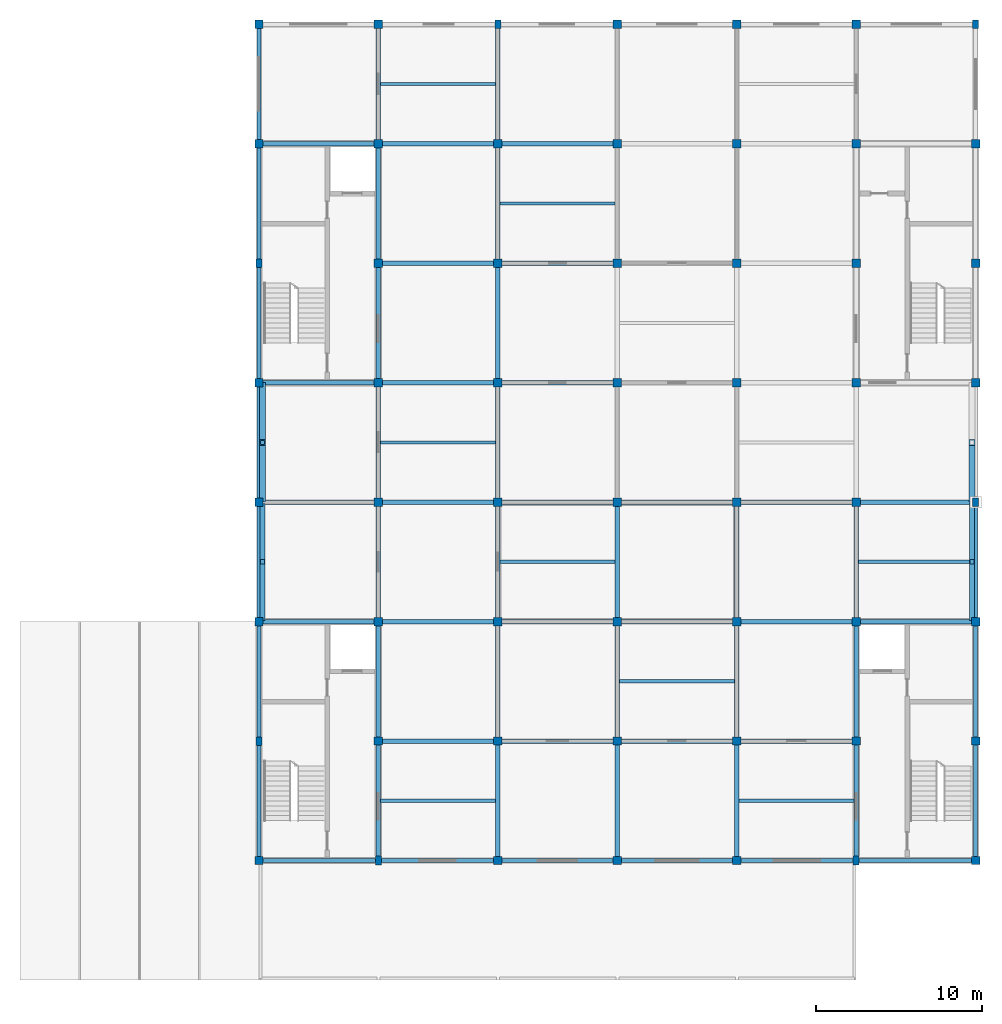
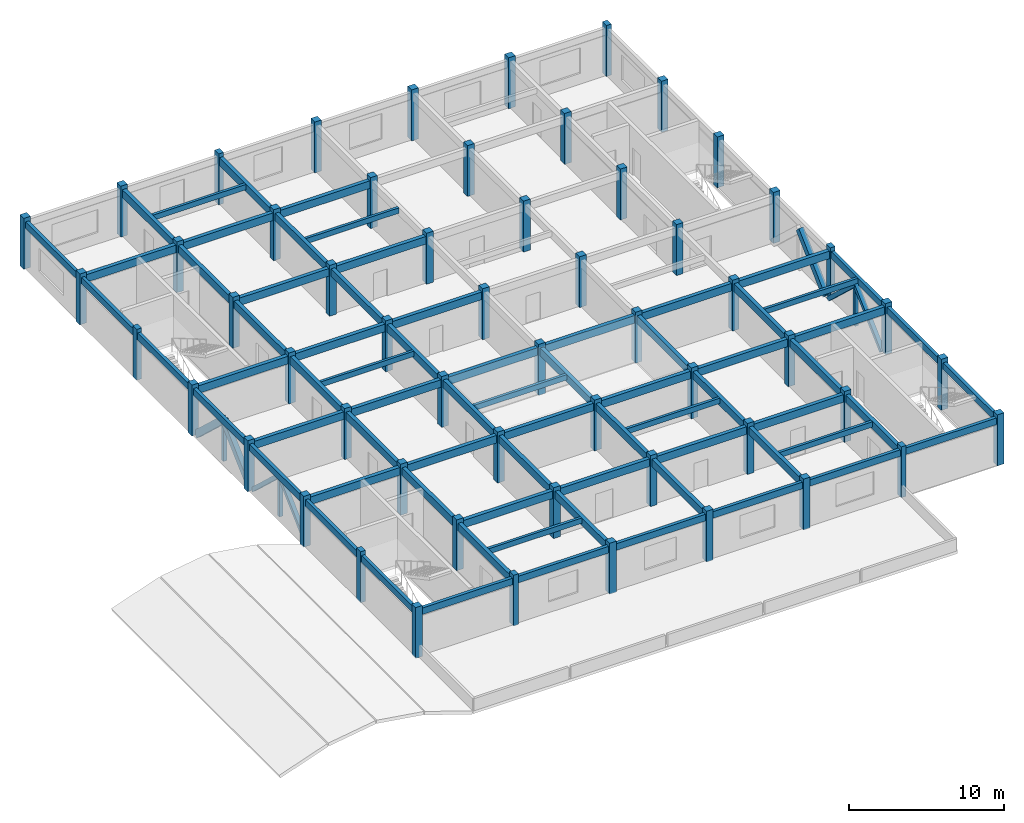
# One storey, part 1 of 6: 71 beams, 56 columns, 10 members.
"""IFC4 building model written with IfcOpenShell, lengths in metres."""

from ifc_helpers import new_model, si_unit, direction, frame, origin, origin_2d, place, context, subcontext, project, spatial, rectangle, extrude, material, material_profile, profile_set, type_object, element, save


model = new_model("IFC4")

# Units and contexts
model_context = context("Model", 3, precision=1e-05, world=origin(), true_north=direction((0.0, 1.0)))
body_context = subcontext(model_context, "Body", "Model", "MODEL_VIEW")
ifc_project = project(units=[si_unit("LENGTHUNIT", "METRE"), si_unit("AREAUNIT", "SQUARE_METRE"), si_unit("VOLUMEUNIT", "CUBIC_METRE"), si_unit("PLANEANGLEUNIT", "RADIAN"), si_unit("MASSUNIT", "GRAM", prefix="KILO")], contexts=[model_context])

# Site, building, storey
site_placement = place(None, origin())
site = spatial("IfcSite", under=ifc_project, at=site_placement, CompositionType="ELEMENT")
building_placement = place(site_placement, origin())
building = spatial("IfcBuilding", under=site, at=building_placement, Name="Cendaluz Park School", CompositionType="ELEMENT")
storey_placement = place(building_placement, frame((0.0, 0.0, 55.0)))
storey = spatial("IfcBuildingStorey", under=building, at=storey_placement, Name="L13", CompositionType="ELEMENT", Elevation=55.0)

# Columns
ifc_material_1 = material(Name="Glulam GL32h", Category="wood")
ifc_material_profile_1 = material_profile(ifc_material_1, rectangle(XDim=0.5, YDim=0.5, at=origin_2d()), Name="GL32h 500x500", Category="wood")
ifc_profile_set_1 = profile_set([ifc_material_profile_1], Name="Glulam GL32h")
column_type_1 = type_object("IfcColumnType", Name="C-GL02", PredefinedType="COLUMN", material=ifc_profile_set_1)
for number, where, z_axis, x_axis, name in (
    (1, (64.800048828125, 14.39990234375, 0.0), (0.0, 0.0, 1.0), (1.0, 0.0, 0.0), "C-L13-CGL02-001"),
    (2, (64.800048828125, 28.800048828125, 0.0), (0.0, 0.0, 1.0), (1.0, 0.0, 0.0), "C-L13-CGL02-003"),
    (3, (64.800048828125, 36.0, 0.0), (0.0, 0.0, 1.0), (1.0, 0.0, 0.0), "C-L13-CGL02-004"),
    (4, (64.800048828125, 43.199951171875, 0.0), (0.0, 0.0, 1.0), (1.0, 0.0, 0.0), "C-L13-CGL02-005"),
    (5, (64.800048828125, 57.60009765625, 0.0), (0.0, 0.0, 1.0), (1.0, 0.0, 0.0), "C-L13-CGL02-007"),
    (6, (64.800048828125, 64.800048828125, 0.0), (0.0, 0.0, 1.0), (1.0, 0.0, 0.0), "C-L13-CGL02-008"),
    (7, (72.0, 21.60009765625, 0.0), (0.0, 0.0, 1.0), (1.0, 0.0, 0.0), "C-L13-CGL02-010"),
    (8, (72.0, 28.800048828125, 0.0), (0.0, 0.0, 1.0), (1.0, 0.0, 0.0), "C-L13-CGL02-011"),
    (9, (72.0, 36.0, 0.0), (0.0, 0.0, 1.0), (1.0, 0.0, 0.0), "C-L13-CGL02-012"),
    (10, (72.0, 43.199951171875, 0.0), (0.0, 0.0, 1.0), (1.0, 0.0, 0.0), "C-L13-CGL02-013"),
    (11, (72.0, 50.39990234375, 0.0), (0.0, 0.0, 1.0), (1.0, 0.0, 0.0), "C-L13-CGL02-014"),
    (12, (72.0, 57.60009765625, 0.0), (0.0, 0.0, 1.0), (1.0, 0.0, 0.0), "C-L13-CGL02-015"),
    (13, (72.0, 64.800048828125, 0.0), (0.0, 0.0, 1.0), (1.0, 0.0, 0.0), "C-L13-CGL02-016"),
    (14, (79.199951171875, 14.39990234375, 0.0), (0.0, 0.0, 1.0), (1.0, 0.0, 0.0), "C-L13-CGL02-017"),
    (15, (79.199951171875, 21.60009765625, 0.0), (0.0, 0.0, 1.0), (1.0, 0.0, 0.0), "C-L13-CGL02-018"),
    (16, (79.199951171875, 28.800048828125, 0.0), (0.0, 0.0, 1.0), (1.0, 0.0, 0.0), "C-L13-CGL02-019"),
    (17, (79.199951171875, 36.0, 0.0), (0.0, 0.0, 1.0), (1.0, 0.0, 0.0), "C-L13-CGL02-020"),
    (18, (79.199951171875, 43.199951171875, 0.0), (0.0, 0.0, 1.0), (1.0, 0.0, 0.0), "C-L13-CGL02-021"),
    (19, (79.199951171875, 50.39990234375, 0.0), (0.0, 0.0, 1.0), (1.0, 0.0, 0.0), "C-L13-CGL02-022"),
    (20, (79.199951171875, 57.60009765625, 0.0), (0.0, 0.0, 1.0), (1.0, 0.0, 0.0), "C-L13-CGL02-023"),
    (21, (86.39990234375, 14.39990234375, 0.0), (0.0, 0.0, 1.0), (1.0, 0.0, 0.0), "C-L13-CGL02-025"),
    (22, (86.39990234375, 21.60009765625, 0.0), (0.0, 0.0, 1.0), (1.0, 0.0, 0.0), "C-L13-CGL02-026"),
    (23, (86.39990234375, 28.800048828125, 0.0), (0.0, 0.0, 1.0), (1.0, 0.0, 0.0), "C-L13-CGL02-027"),
    (24, (86.39990234375, 36.0, 0.0), (0.0, 0.0, 1.0), (1.0, 0.0, 0.0), "C-L13-CGL02-028"),
    (25, (86.39990234375, 43.199951171875, 0.0), (0.0, 0.0, 1.0), (1.0, 0.0, 0.0), "C-L13-CGL02-029"),
    (26, (86.39990234375, 50.39990234375, 0.0), (0.0, 0.0, 1.0), (1.0, 0.0, 0.0), "C-L13-CGL02-030"),
    (27, (86.39990234375, 57.60009765625, 0.0), (0.0, 0.0, 1.0), (1.0, 0.0, 0.0), "C-L13-CGL02-031"),
    (28, (86.39990234375, 64.800048828125, 0.0), (0.0, 0.0, 1.0), (1.0, 0.0, 0.0), "C-L13-CGL02-032"),
    (29, (93.60009765625, 14.39990234375, 0.0), (0.0, 0.0, 1.0), (1.0, 0.0, 0.0), "C-L13-CGL02-033"),
    (30, (93.60009765625, 21.60009765625, 0.0), (0.0, 0.0, 1.0), (1.0, 0.0, 0.0), "C-L13-CGL02-034"),
    (31, (93.60009765625, 28.800048828125, 0.0), (0.0, 0.0, 1.0), (1.0, 0.0, 0.0), "C-L13-CGL02-035"),
    (32, (93.60009765625, 36.0, 0.0), (0.0, 0.0, 1.0), (1.0, 0.0, 0.0), "C-L13-CGL02-036"),
    (33, (93.60009765625, 43.199951171875, 0.0), (0.0, 0.0, 1.0), (1.0, 0.0, 0.0), "C-L13-CGL02-037"),
    (34, (93.60009765625, 50.39990234375, 0.0), (0.0, 0.0, 1.0), (1.0, 0.0, 0.0), "C-L13-CGL02-038"),
    (35, (93.60009765625, 57.60009765625, 0.0), (0.0, 0.0, 1.0), (1.0, 0.0, 0.0), "C-L13-CGL02-039"),
    (36, (93.60009765625, 64.800048828125, 0.0), (0.0, 0.0, 1.0), (1.0, 0.0, 0.0), "C-L13-CGL02-040"),
    (37, (100.800048828125, 21.60009765625, 0.0), (0.0, 0.0, 1.0), (1.0, 0.0, 0.0), "C-L13-CGL02-042"),
    (38, (100.800048828125, 28.800048828125, 0.0), (0.0, 0.0, 1.0), (1.0, 0.0, 0.0), "C-L13-CGL02-043"),
    (39, (100.800048828125, 36.0, 0.0), (0.0, 0.0, 1.0), (1.0, 0.0, 0.0), "C-L13-CGL02-044"),
    (40, (100.800048828125, 43.199951171875, 0.0), (0.0, 0.0, 1.0), (1.0, 0.0, 0.0), "C-L13-CGL02-045"),
    (41, (100.800048828125, 50.39990234375, 0.0), (0.0, 0.0, 1.0), (1.0, 0.0, 0.0), "C-L13-CGL02-046"),
    (42, (100.800048828125, 57.60009765625, 0.0), (0.0, 0.0, 1.0), (1.0, 0.0, 0.0), "C-L13-CGL02-047"),
    (43, (100.800048828125, 64.800048828125, 0.0), (0.0, 0.0, 1.0), (1.0, 0.0, 0.0), "C-L13-CGL02-048"),
    (44, (108.0, 14.39990234375, 0.0), (0.0, 0.0, 1.0), (1.0, 0.0, 0.0), "C-L13-CGL02-049"),
    (45, (108.0, 21.60009765625, 0.0), (0.0, 0.0, 1.0), (1.0, 0.0, 0.0), "C-L13-CGL02-050"),
    (46, (108.0, 28.800048828125, 0.0), (0.0, 0.0, 1.0), (1.0, 0.0, 0.0), "C-L13-CGL02-051"),
    (47, (108.0, 43.199951171875, 0.0), (0.0, 0.0, 1.0), (1.0, 0.0, 0.0), "C-L13-CGL02-053"),
    (48, (108.0, 50.39990234375, 0.0), (0.0, 0.0, 1.0), (1.0, 0.0, 0.0), "C-L13-CGL02-054"),
    (49, (108.0, 57.60009765625, 0.0), (0.0, 0.0, 1.0), (1.0, 0.0, 0.0), "C-L13-CGL02-055"),
):
    element("IfcColumn", number, at=place(storey_placement, frame(where, z_axis=z_axis, x_axis=x_axis)), inside=storey, type_object=column_type_1, Name=name, PredefinedType="COLUMN", context=body_context, shape_type="SweptSolid", body=[
        extrude(rectangle(XDim=0.5, YDim=0.5, at=origin_2d()), origin(), (0.0, 0.0, 1.0), 4.0),
    ])
ifc_material_profile_2 = material_profile(ifc_material_1, rectangle(XDim=0.360107421875, YDim=0.52001953125, at=origin_2d()), Name="GL32h 360x520", Category="wood")
ifc_profile_set_2 = profile_set([ifc_material_profile_2], Name="Glulam GL32h")
column_type_2 = type_object("IfcColumnType", Name="C-PL02", PredefinedType="PILASTER", material=ifc_profile_set_2)
for number, where, z_axis, x_axis, name in (
    (50, (64.800048828125, 21.60009765625, 0.0), (0.0, 0.0, 1.0), (1.0, 0.0, 0.0), "C-L13-CPL02-002"),
    (51, (64.800048828125, 50.39990234375, 0.0), (0.0, 0.0, 1.0), (1.0, 0.0, 0.0), "C-L13-CPL02-006"),
    (52, (72.0, 14.39990234375, 0.0), (0.0, 0.0, 1.0), (1.0, 0.0, 0.0), "C-L13-CPL02-009"),
    (53, (79.199951171875, 64.800048828125, 0.0), (0.0, 0.0, 1.0), (1.0, 0.0, 0.0), "C-L13-CPL02-024"),
    (54, (100.800048828125, 14.39990234375, 0.0), (0.0, 0.0, 1.0), (1.0, 0.0, 0.0), "C-L13-CPL02-041"),
    (55, (108.0, 36.0, 0.0), (0.0, 0.0, 1.0), (1.0, 0.0, 0.0), "C-L13-CPL02-052"),
    (56, (108.0, 64.800048828125, 0.0), (0.0, 0.0, 1.0), (1.0, 0.0, 0.0), "C-L13-CPL02-056"),
):
    element("IfcColumn", number, at=place(storey_placement, frame(where, z_axis=z_axis, x_axis=x_axis)), inside=storey, type_object=column_type_2, Name=name, PredefinedType="PILASTER", context=body_context, shape_type="SweptSolid", body=[
        extrude(rectangle(XDim=0.360107421875, YDim=0.52001953125, at=origin_2d()), origin(), (0.0, 0.0, 1.0), 4.0),
    ])

# Beams
ifc_material_2 = material(Name="Glulam GL28h", Category="wood")
ifc_material_profile_3 = material_profile(ifc_material_2, rectangle(XDim=0.280029296875, YDim=0.60009765625, at=origin_2d()), Name="GL28h 280x600", Category="wood")
ifc_profile_set_3 = profile_set([ifc_material_profile_3], Name="Glulam GL28h")
beam_type_1 = type_object("IfcBeamType", Name="BM-GL02", PredefinedType="BEAM", material=ifc_profile_set_3)
for number, where, z_axis, x_axis, name in (
    (57, (65.050048828125, 28.800048828125, 3.389892578125), (1.0, 0.0, 0.0), (0.0, 1.0, 0.0), "BM-L13-BMGL02-0002"),
    (58, (65.050048828125, 36.0, 3.389892578125), (1.0, 0.0, 0.0), (0.0, 1.0, 0.0), "BM-L13-BMGL02-0003"),
    (59, (65.050048828125, 43.199951171875, 3.389892578125), (1.0, 0.0, 0.0), (0.0, 1.0, 0.0), "BM-L13-BMGL02-0004"),
    (60, (65.050048828125, 57.60009765625, 3.389892578125), (1.0, 0.0, 0.0), (0.0, 1.0, 0.0), "BM-L13-BMGL02-0005"),
    (61, (72.25, 21.60009765625, 3.389892578125), (1.0, 0.0, 0.0), (0.0, 1.0, 0.0), "BM-L13-BMGL02-0008"),
    (62, (72.25, 28.800048828125, 3.389892578125), (1.0, 0.0, 0.0), (0.0, 1.0, 0.0), "BM-L13-BMGL02-0009"),
    (63, (72.25, 36.0, 3.389892578125), (1.0, 0.0, 0.0), (0.0, 1.0, 0.0), "BM-L13-BMGL02-0010"),
    (64, (72.25, 43.199951171875, 3.389892578125), (1.0, 0.0, 0.0), (0.0, 1.0, 0.0), "BM-L13-BMGL02-0011"),
    (65, (72.25, 50.39990234375, 3.389892578125), (1.0, 0.0, 0.0), (0.0, 1.0, 0.0), "BM-L13-BMGL02-0012"),
    (66, (72.25, 57.60009765625, 3.389892578125), (1.0, 0.0, 0.0), (0.0, 1.0, 0.0), "BM-L13-BMGL02-0013"),
    (67, (79.449951171875, 21.60009765625, 3.389892578125), (1.0, 0.0, 0.0), (0.0, 1.0, 0.0), "BM-L13-BMGL02-0016"),
    (68, (79.449951171875, 28.800048828125, 3.389892578125), (1.0, 0.0, 0.0), (0.0, 1.0, 0.0), "BM-L13-BMGL02-0017"),
    (69, (79.449951171875, 36.0, 3.389892578125), (1.0, 0.0, 0.0), (0.0, 1.0, 0.0), "BM-L13-BMGL02-0018"),
    (70, (79.449951171875, 43.199951171875, 3.389892578125), (1.0, 0.0, 0.0), (0.0, 1.0, 0.0), "BM-L13-BMGL02-0019"),
    (71, (79.449951171875, 50.39990234375, 3.389892578125), (1.0, 0.0, 0.0), (0.0, 1.0, 0.0), "BM-L13-BMGL02-0020"),
    (72, (79.449951171875, 57.60009765625, 3.389892578125), (1.0, 0.0, 0.0), (0.0, 1.0, 0.0), "BM-L13-BMGL02-0021"),
):
    element("IfcBeam", number, at=place(storey_placement, frame(where, z_axis=z_axis, x_axis=x_axis)), inside=storey, type_object=beam_type_1, Name=name, PredefinedType="BEAM", context=body_context, shape_type="SweptSolid", body=[
        extrude(rectangle(XDim=0.280029296875, YDim=0.60009765625, at=origin_2d()), origin(), (0.0, 0.0, 1.0), 6.699951171875),
    ])
for number, where, z_axis, x_axis, name in (
    (73, (86.64990234375, 21.60009765625, 3.389892578125), (1.0, 0.0, 0.0), (0.0, 1.0, 0.0), "BM-L13-BMGL02-0024"),
    (74, (86.64990234375, 28.800048828125, 3.389892578125), (1.0, 0.0, 0.0), (0.0, 1.0, 0.0), "BM-L13-BMGL02-0025"),
    (75, (86.64990234375, 36.0, 3.389892578125), (1.0, 0.0, 0.0), (0.0, 1.0, 0.0), "BM-L13-BMGL02-0026"),
):
    element("IfcBeam", number, at=place(storey_placement, frame(where, z_axis=z_axis, x_axis=x_axis)), inside=storey, type_object=beam_type_1, Name=name, PredefinedType="BEAM", context=body_context, shape_type="SweptSolid", body=[
        extrude(rectangle(XDim=0.280029296875, YDim=0.60009765625, at=origin_2d()), origin(), (0.0, 0.0, 1.0), 6.7001953125),
    ])
for number, where, z_axis, x_axis, name in (
    (76, (93.85009765625, 21.60009765625, 3.389892578125), (1.0, 0.0, 0.0), (0.0, 1.0, 0.0), "BM-L13-BMGL02-0032"),
    (77, (93.85009765625, 28.800048828125, 3.389892578125), (1.0, 0.0, 0.0), (0.0, 1.0, 0.0), "BM-L13-BMGL02-0033"),
    (78, (93.85009765625, 36.0, 3.389892578125), (1.0, 0.0, 0.0), (0.0, 1.0, 0.0), "BM-L13-BMGL02-0034"),
    (79, (101.050048828125, 28.800048828125, 3.389892578125), (1.0, 0.0, 0.0), (0.0, 1.0, 0.0), "BM-L13-BMGL02-0040"),
):
    element("IfcBeam", number, at=place(storey_placement, frame(where, z_axis=z_axis, x_axis=x_axis)), inside=storey, type_object=beam_type_1, Name=name, PredefinedType="BEAM", context=body_context, shape_type="SweptSolid", body=[
        extrude(rectangle(XDim=0.280029296875, YDim=0.60009765625, at=origin_2d()), origin(), (0.0, 0.0, 1.0), 6.699951171875),
    ])
beam_1_placement = place(storey_placement, frame((101.050048828125, 36.0, 3.389892578125), z_axis=(1.0, 0.0, 0.0), x_axis=(0.0, 1.0, 0.0)))
element("IfcBeam", 80, at=beam_1_placement, inside=storey, type_object=beam_type_1, Name="BM-L13-BMGL02-0041", PredefinedType="BEAM", context=body_context, shape_type="SweptSolid", body=[
    extrude(rectangle(XDim=0.280029296875, YDim=0.60009765625, at=origin_2d()), origin(), (0.0, 0.0, 1.0), 6.77001953125),
])
beam_2_placement = place(storey_placement, frame((72.0, 14.659912109375, 3.389892578125), z_axis=(0.0, 1.0, 0.0), x_axis=(-1.0, 0.0, 0.0)))
element("IfcBeam", 81, at=beam_2_placement, inside=storey, type_object=beam_type_1, Name="BM-L13-BMGL02-0052", PredefinedType="BEAM", context=body_context, shape_type="SweptSolid", body=[
    extrude(rectangle(XDim=0.280029296875, YDim=0.60009765625, at=origin_2d()), origin(), (0.0, 0.0, 1.0), 6.690185546875),
])
for number, where, z_axis, x_axis, name in (
    (82, (72.0, 21.85009765625, 3.389892578125), (0.0, 1.0, 0.0), (-1.0, 0.0, 0.0), "BM-L13-BMGL02-0053"),
    (83, (72.0, 29.050048828125, 3.389892578125), (0.0, 1.0, 0.0), (-1.0, 0.0, 0.0), "BM-L13-BMGL02-0054"),
    (84, (72.0, 36.25, 3.389892578125), (0.0, 1.0, 0.0), (-1.0, 0.0, 0.0), "BM-L13-BMGL02-0055"),
    (85, (72.0, 43.449951171875, 3.389892578125), (0.0, 1.0, 0.0), (-1.0, 0.0, 0.0), "BM-L13-BMGL02-0056"),
):
    element("IfcBeam", number, at=place(storey_placement, frame(where, z_axis=z_axis, x_axis=x_axis)), inside=storey, type_object=beam_type_1, Name=name, PredefinedType="BEAM", context=body_context, shape_type="SweptSolid", body=[
        extrude(rectangle(XDim=0.280029296875, YDim=0.60009765625, at=origin_2d()), origin(), (0.0, 0.0, 1.0), 6.699951171875),
    ])
beam_3_placement = place(storey_placement, frame((72.0, 50.64990234375, 3.389892578125), z_axis=(0.0, 1.0, 0.0), x_axis=(-1.0, 0.0, 0.0)))
element("IfcBeam", 86, at=beam_3_placement, inside=storey, type_object=beam_type_1, Name="BM-L13-BMGL02-0057", PredefinedType="BEAM", context=body_context, shape_type="SweptSolid", body=[
    extrude(rectangle(XDim=0.280029296875, YDim=0.60009765625, at=origin_2d()), origin(), (0.0, 0.0, 1.0), 6.7001953125),
])
beam_4_placement = place(storey_placement, frame((72.0, 57.85009765625, 3.389892578125), z_axis=(0.0, 1.0, 0.0), x_axis=(-1.0, 0.0, 0.0)))
element("IfcBeam", 87, at=beam_4_placement, inside=storey, type_object=beam_type_1, Name="BM-L13-BMGL02-0058", PredefinedType="BEAM", context=body_context, shape_type="SweptSolid", body=[
    extrude(rectangle(XDim=0.280029296875, YDim=0.60009765625, at=origin_2d()), origin(), (0.0, 0.0, 1.0), 6.699951171875),
])
beam_5_placement = place(storey_placement, frame((79.199951171875, 14.64990234375, 3.389892578125), z_axis=(0.0, 1.0, 0.0), x_axis=(-1.0, 0.0, 0.0)))
element("IfcBeam", 88, at=beam_5_placement, inside=storey, type_object=beam_type_1, Name="BM-L13-BMGL02-0059", PredefinedType="BEAM", context=body_context, shape_type="SweptSolid", body=[
    extrude(rectangle(XDim=0.280029296875, YDim=0.60009765625, at=origin_2d()), origin(), (0.0, 0.0, 1.0), 6.7001953125),
])
for number, where, z_axis, x_axis, name in (
    (89, (79.199951171875, 21.85009765625, 3.389892578125), (0.0, 1.0, 0.0), (-1.0, 0.0, 0.0), "BM-L13-BMGL02-0060"),
    (90, (79.199951171875, 29.050048828125, 3.389892578125), (0.0, 1.0, 0.0), (-1.0, 0.0, 0.0), "BM-L13-BMGL02-0061"),
    (91, (79.199951171875, 36.25, 3.389892578125), (0.0, 1.0, 0.0), (-1.0, 0.0, 0.0), "BM-L13-BMGL02-0062"),
    (92, (79.199951171875, 43.449951171875, 3.389892578125), (0.0, 1.0, 0.0), (-1.0, 0.0, 0.0), "BM-L13-BMGL02-0063"),
):
    element("IfcBeam", number, at=place(storey_placement, frame(where, z_axis=z_axis, x_axis=x_axis)), inside=storey, type_object=beam_type_1, Name=name, PredefinedType="BEAM", context=body_context, shape_type="SweptSolid", body=[
        extrude(rectangle(XDim=0.280029296875, YDim=0.60009765625, at=origin_2d()), origin(), (0.0, 0.0, 1.0), 6.699951171875),
    ])
beam_6_placement = place(storey_placement, frame((79.199951171875, 50.64990234375, 3.389892578125), z_axis=(0.0, 1.0, 0.0), x_axis=(-1.0, 0.0, 0.0)))
element("IfcBeam", 93, at=beam_6_placement, inside=storey, type_object=beam_type_1, Name="BM-L13-BMGL02-0064", PredefinedType="BEAM", context=body_context, shape_type="SweptSolid", body=[
    extrude(rectangle(XDim=0.280029296875, YDim=0.60009765625, at=origin_2d()), origin(), (0.0, 0.0, 1.0), 6.7001953125),
])
beam_7_placement = place(storey_placement, frame((79.199951171875, 57.85009765625, 3.389892578125), z_axis=(0.0, 1.0, 0.0), x_axis=(-1.0, 0.0, 0.0)))
element("IfcBeam", 94, at=beam_7_placement, inside=storey, type_object=beam_type_1, Name="BM-L13-BMGL02-0065", PredefinedType="BEAM", context=body_context, shape_type="SweptSolid", body=[
    extrude(rectangle(XDim=0.280029296875, YDim=0.60009765625, at=origin_2d()), origin(), (0.0, 0.0, 1.0), 6.68994140625),
])
beam_8_placement = place(storey_placement, frame((86.39990234375, 14.64990234375, 3.389892578125), z_axis=(0.0, 1.0, 0.0), x_axis=(-1.0, 0.0, 0.0)))
element("IfcBeam", 95, at=beam_8_placement, inside=storey, type_object=beam_type_1, Name="BM-L13-BMGL02-0066", PredefinedType="BEAM", context=body_context, shape_type="SweptSolid", body=[
    extrude(rectangle(XDim=0.280029296875, YDim=0.60009765625, at=origin_2d()), origin(), (0.0, 0.0, 1.0), 6.7001953125),
])
for number, where, z_axis, x_axis, name in (
    (96, (86.39990234375, 21.85009765625, 3.389892578125), (0.0, 1.0, 0.0), (-1.0, 0.0, 0.0), "BM-L13-BMGL02-0067"),
    (97, (86.39990234375, 29.050048828125, 3.389892578125), (0.0, 1.0, 0.0), (-1.0, 0.0, 0.0), "BM-L13-BMGL02-0068"),
):
    element("IfcBeam", number, at=place(storey_placement, frame(where, z_axis=z_axis, x_axis=x_axis)), inside=storey, type_object=beam_type_1, Name=name, PredefinedType="BEAM", context=body_context, shape_type="SweptSolid", body=[
        extrude(rectangle(XDim=0.280029296875, YDim=0.60009765625, at=origin_2d()), origin(), (0.0, 0.0, 1.0), 6.699951171875),
    ])
beam_9_placement = place(storey_placement, frame((93.60009765625, 14.64990234375, 3.389892578125), z_axis=(0.0, 1.0, 0.0), x_axis=(-1.0, 0.0, 0.0)))
element("IfcBeam", 98, at=beam_9_placement, inside=storey, type_object=beam_type_1, Name="BM-L13-BMGL02-0073", PredefinedType="BEAM", context=body_context, shape_type="SweptSolid", body=[
    extrude(rectangle(XDim=0.280029296875, YDim=0.60009765625, at=origin_2d()), origin(), (0.0, 0.0, 1.0), 6.7001953125),
])
for number, where, z_axis, x_axis, name in (
    (99, (93.60009765625, 21.85009765625, 3.389892578125), (0.0, 1.0, 0.0), (-1.0, 0.0, 0.0), "BM-L13-BMGL02-0074"),
    (100, (93.60009765625, 29.050048828125, 3.389892578125), (0.0, 1.0, 0.0), (-1.0, 0.0, 0.0), "BM-L13-BMGL02-0075"),
):
    element("IfcBeam", number, at=place(storey_placement, frame(where, z_axis=z_axis, x_axis=x_axis)), inside=storey, type_object=beam_type_1, Name=name, PredefinedType="BEAM", context=body_context, shape_type="SweptSolid", body=[
        extrude(rectangle(XDim=0.280029296875, YDim=0.60009765625, at=origin_2d()), origin(), (0.0, 0.0, 1.0), 6.699951171875),
    ])
beam_10_placement = place(storey_placement, frame((100.800048828125, 14.659912109375, 3.389892578125), z_axis=(0.0, 1.0, 0.0), x_axis=(-1.0, 0.0, 0.0)))
element("IfcBeam", 101, at=beam_10_placement, inside=storey, type_object=beam_type_1, Name="BM-L13-BMGL02-0080", PredefinedType="BEAM", context=body_context, shape_type="SweptSolid", body=[
    extrude(rectangle(XDim=0.280029296875, YDim=0.60009765625, at=origin_2d()), origin(), (0.0, 0.0, 1.0), 6.690185546875),
])
for number, where, z_axis, x_axis, name in (
    (102, (100.800048828125, 21.85009765625, 3.389892578125), (0.0, 1.0, 0.0), (-1.0, 0.0, 0.0), "BM-L13-BMGL02-0081"),
    (103, (100.800048828125, 29.050048828125, 3.389892578125), (0.0, 1.0, 0.0), (-1.0, 0.0, 0.0), "BM-L13-BMGL02-0082"),
):
    element("IfcBeam", number, at=place(storey_placement, frame(where, z_axis=z_axis, x_axis=x_axis)), inside=storey, type_object=beam_type_1, Name=name, PredefinedType="BEAM", context=body_context, shape_type="SweptSolid", body=[
        extrude(rectangle(XDim=0.280029296875, YDim=0.60009765625, at=origin_2d()), origin(), (0.0, 0.0, 1.0), 6.699951171875),
    ])
ifc_material_profile_4 = material_profile(ifc_material_2, rectangle(XDim=0.239990234375, YDim=0.52001953125, at=origin_2d()), Name="GL28h 240x520", Category="wood")
ifc_profile_set_4 = profile_set([ifc_material_profile_4], Name="Glulam GL28h")
beam_type_2 = type_object("IfcBeamType", Name="BM-GL03", PredefinedType="SPANDREL", material=ifc_profile_set_4)
for number, where, z_axis, x_axis, name in (
    (104, (65.050048828125, 14.39990234375, 3.429931640625), (1.0, 0.0, 0.0), (0.0, 1.0, 0.0), "BM-L13-BMGL03-0001"),
    (105, (72.179931640625, 14.39990234375, 3.429931640625), (1.0, 0.0, 0.0), (0.0, 1.0, 0.0), "BM-L13-BMGL03-0007"),
):
    element("IfcBeam", number, at=place(storey_placement, frame(where, z_axis=z_axis, x_axis=x_axis)), inside=storey, type_object=beam_type_2, Name=name, PredefinedType="SPANDREL", context=body_context, shape_type="SweptSolid", body=[
        extrude(rectangle(XDim=0.239990234375, YDim=0.52001953125, at=origin_2d()), origin(), (0.0, 0.0, 1.0), 6.77001953125),
    ])
beam_11_placement = place(storey_placement, frame((79.449951171875, 14.39990234375, 3.429931640625), z_axis=(1.0, 0.0, 0.0), x_axis=(0.0, 1.0, 0.0)))
element("IfcBeam", 106, at=beam_11_placement, inside=storey, type_object=beam_type_2, Name="BM-L13-BMGL03-0015", PredefinedType="SPANDREL", context=body_context, shape_type="SweptSolid", body=[
    extrude(rectangle(XDim=0.239990234375, YDim=0.52001953125, at=origin_2d()), origin(), (0.0, 0.0, 1.0), 6.699951171875),
])
beam_12_placement = place(storey_placement, frame((86.64990234375, 14.39990234375, 3.429931640625), z_axis=(1.0, 0.0, 0.0), x_axis=(0.0, 1.0, 0.0)))
element("IfcBeam", 107, at=beam_12_placement, inside=storey, type_object=beam_type_2, Name="BM-L13-BMGL03-0023", PredefinedType="SPANDREL", context=body_context, shape_type="SweptSolid", body=[
    extrude(rectangle(XDim=0.239990234375, YDim=0.52001953125, at=origin_2d()), origin(), (0.0, 0.0, 1.0), 6.7001953125),
])
for number, where, z_axis, x_axis, name in (
    (108, (93.85009765625, 14.39990234375, 3.429931640625), (1.0, 0.0, 0.0), (0.0, 1.0, 0.0), "BM-L13-BMGL03-0031"),
    (109, (100.97998046875, 14.39990234375, 3.429931640625), (1.0, 0.0, 0.0), (0.0, 1.0, 0.0), "BM-L13-BMGL03-0039"),
):
    element("IfcBeam", number, at=place(storey_placement, frame(where, z_axis=z_axis, x_axis=x_axis)), inside=storey, type_object=beam_type_2, Name=name, PredefinedType="SPANDREL", context=body_context, shape_type="SweptSolid", body=[
        extrude(rectangle(XDim=0.239990234375, YDim=0.52001953125, at=origin_2d()), origin(), (0.0, 0.0, 1.0), 6.77001953125),
    ])
beam_13_placement = place(storey_placement, frame((64.800048828125, 14.64990234375, 3.429931640625), z_axis=(0.0, 1.0, 0.0), x_axis=(-1.0, 0.0, 0.0)))
element("IfcBeam", 110, at=beam_13_placement, inside=storey, type_object=beam_type_2, Name="BM-L13-BMGL03-0045", PredefinedType="SPANDREL", context=body_context, shape_type="SweptSolid", body=[
    extrude(rectangle(XDim=0.239990234375, YDim=0.52001953125, at=origin_2d()), origin(), (0.0, 0.0, 1.0), 6.690185546875),
])
beam_14_placement = place(storey_placement, frame((64.800048828125, 21.860107421875, 3.429931640625), z_axis=(0.0, 1.0, 0.0), x_axis=(-1.0, 0.0, 0.0)))
element("IfcBeam", 111, at=beam_14_placement, inside=storey, type_object=beam_type_2, Name="BM-L13-BMGL03-0046", PredefinedType="SPANDREL", context=body_context, shape_type="SweptSolid", body=[
    extrude(rectangle(XDim=0.239990234375, YDim=0.52001953125, at=origin_2d()), origin(), (0.0, 0.0, 1.0), 6.68994140625),
])
for number, where, z_axis, x_axis, name in (
    (112, (64.800048828125, 29.050048828125, 3.429931640625), (0.0, 1.0, 0.0), (-1.0, 0.0, 0.0), "BM-L13-BMGL03-0047"),
    (113, (64.800048828125, 36.25, 3.429931640625), (0.0, 1.0, 0.0), (-1.0, 0.0, 0.0), "BM-L13-BMGL03-0048"),
):
    element("IfcBeam", number, at=place(storey_placement, frame(where, z_axis=z_axis, x_axis=x_axis)), inside=storey, type_object=beam_type_2, Name=name, PredefinedType="SPANDREL", context=body_context, shape_type="SweptSolid", body=[
        extrude(rectangle(XDim=0.239990234375, YDim=0.52001953125, at=origin_2d()), origin(), (0.0, 0.0, 1.0), 6.699951171875),
    ])
beam_15_placement = place(storey_placement, frame((64.800048828125, 43.449951171875, 3.429931640625), z_axis=(0.0, 1.0, 0.0), x_axis=(-1.0, 0.0, 0.0)))
element("IfcBeam", 114, at=beam_15_placement, inside=storey, type_object=beam_type_2, Name="BM-L13-BMGL03-0049", PredefinedType="SPANDREL", context=body_context, shape_type="SweptSolid", body=[
    extrude(rectangle(XDim=0.239990234375, YDim=0.52001953125, at=origin_2d()), origin(), (0.0, 0.0, 1.0), 6.68994140625),
])
beam_16_placement = place(storey_placement, frame((64.800048828125, 50.659912109375, 3.429931640625), z_axis=(0.0, 1.0, 0.0), x_axis=(-1.0, 0.0, 0.0)))
element("IfcBeam", 115, at=beam_16_placement, inside=storey, type_object=beam_type_2, Name="BM-L13-BMGL03-0050", PredefinedType="SPANDREL", context=body_context, shape_type="SweptSolid", body=[
    extrude(rectangle(XDim=0.239990234375, YDim=0.52001953125, at=origin_2d()), origin(), (0.0, 0.0, 1.0), 6.690185546875),
])
beam_17_placement = place(storey_placement, frame((64.800048828125, 57.85009765625, 3.429931640625), z_axis=(0.0, 1.0, 0.0), x_axis=(-1.0, 0.0, 0.0)))
element("IfcBeam", 116, at=beam_17_placement, inside=storey, type_object=beam_type_2, Name="BM-L13-BMGL03-0051", PredefinedType="SPANDREL", context=body_context, shape_type="SweptSolid", body=[
    extrude(rectangle(XDim=0.239990234375, YDim=0.52001953125, at=origin_2d()), origin(), (0.0, 0.0, 1.0), 6.699951171875),
])
beam_18_placement = place(storey_placement, frame((108.0, 14.64990234375, 3.429931640625), z_axis=(0.0, 1.0, 0.0), x_axis=(-1.0, 0.0, 0.0)))
element("IfcBeam", 117, at=beam_18_placement, inside=storey, type_object=beam_type_2, Name="BM-L13-BMGL03-0087", PredefinedType="SPANDREL", context=body_context, shape_type="SweptSolid", body=[
    extrude(rectangle(XDim=0.239990234375, YDim=0.52001953125, at=origin_2d()), origin(), (0.0, 0.0, 1.0), 6.7001953125),
])
beam_19_placement = place(storey_placement, frame((108.0, 21.85009765625, 3.429931640625), z_axis=(0.0, 1.0, 0.0), x_axis=(-1.0, 0.0, 0.0)))
element("IfcBeam", 118, at=beam_19_placement, inside=storey, type_object=beam_type_2, Name="BM-L13-BMGL03-0088", PredefinedType="SPANDREL", context=body_context, shape_type="SweptSolid", body=[
    extrude(rectangle(XDim=0.239990234375, YDim=0.52001953125, at=origin_2d()), origin(), (0.0, 0.0, 1.0), 6.699951171875),
])
beam_20_placement = place(storey_placement, frame((108.0, 29.050048828125, 3.429931640625), z_axis=(0.0, 1.0, 0.0), x_axis=(-1.0, 0.0, 0.0)))
element("IfcBeam", 119, at=beam_20_placement, inside=storey, type_object=beam_type_2, Name="BM-L13-BMGL03-0089", PredefinedType="SPANDREL", context=body_context, shape_type="SweptSolid", body=[
    extrude(rectangle(XDim=0.239990234375, YDim=0.52001953125, at=origin_2d()), origin(), (0.0, 0.0, 1.0), 6.68994140625),
])
ifc_material_profile_5 = material_profile(ifc_material_2, rectangle(XDim=0.199951171875, YDim=0.419921875, at=origin_2d()), Name="GL28h 200x420", Category="wood")
ifc_profile_set_5 = profile_set([ifc_material_profile_5], Name="Glulam GL28h")
beam_type_3 = type_object("IfcBeamType", Name="JT-GL02", PredefinedType="JOIST", material=ifc_profile_set_5)
for number, where, z_axis, x_axis, name in (
    (120, (72.139892578125, 18.0, 3.47998046875), (1.0, 0.0, 0.0), (0.0, 1.0, 0.0), "BM-L13-JTGL02-0094"),
    (121, (72.139892578125, 39.60009765625, 3.47998046875), (1.0, 0.0, 0.0), (0.0, 1.0, 0.0), "BM-L13-JTGL02-0095"),
    (122, (72.139892578125, 61.199951171875, 3.47998046875), (1.0, 0.0, 0.0), (0.0, 1.0, 0.0), "BM-L13-JTGL02-0096"),
):
    element("IfcBeam", number, at=place(storey_placement, frame(where, z_axis=z_axis, x_axis=x_axis)), inside=storey, type_object=beam_type_3, Name=name, PredefinedType="JOIST", context=body_context, shape_type="SweptSolid", body=[
        extrude(rectangle(XDim=0.199951171875, YDim=0.419921875, at=origin_2d()), origin(), (0.0, 0.0, 1.0), 6.920166015625),
    ])
for number, where, z_axis, x_axis, name in (
    (123, (79.340087890625, 32.39990234375, 3.47998046875), (1.0, 0.0, 0.0), (0.0, 1.0, 0.0), "BM-L13-JTGL02-0097"),
    (124, (79.340087890625, 54.0, 3.47998046875), (1.0, 0.0, 0.0), (0.0, 1.0, 0.0), "BM-L13-JTGL02-0098"),
    (125, (86.5400390625, 25.199951171875, 3.47998046875), (1.0, 0.0, 0.0), (0.0, 1.0, 0.0), "BM-L13-JTGL02-0099"),
    (126, (93.739990234375, 18.0, 3.47998046875), (1.0, 0.0, 0.0), (0.0, 1.0, 0.0), "BM-L13-JTGL02-0101"),
):
    element("IfcBeam", number, at=place(storey_placement, frame(where, z_axis=z_axis, x_axis=x_axis)), inside=storey, type_object=beam_type_3, Name=name, PredefinedType="JOIST", context=body_context, shape_type="SweptSolid", body=[
        extrude(rectangle(XDim=0.199951171875, YDim=0.419921875, at=origin_2d()), origin(), (0.0, 0.0, 1.0), 6.919921875),
    ])
beam_21_placement = place(storey_placement, frame((100.93994140625, 32.39990234375, 3.47998046875), z_axis=(1.0, 0.0, 0.0), x_axis=(0.0, 1.0, 0.0)))
element("IfcBeam", 127, at=beam_21_placement, inside=storey, type_object=beam_type_3, Name="BM-L13-JTGL02-0104", PredefinedType="JOIST", context=body_context, shape_type="SweptSolid", body=[
    extrude(rectangle(XDim=0.199951171875, YDim=0.419921875, at=origin_2d()), origin(), (0.0, 0.0, 1.0), 6.93994140625),
])

# Members
ifc_material_profile_6 = material_profile(ifc_material_1, rectangle(XDim=0.300048828125, YDim=0.300048828125, at=origin_2d()), Name="GL32h 300x300", Category="wood")
ifc_profile_set_6 = profile_set([ifc_material_profile_6], Name="Glulam GL32h")
member_type_1 = type_object("IfcMemberType", Name="MBR-03", PredefinedType="BRACE", material=ifc_profile_set_6)
member_1_placement = place(storey_placement, frame((65.02001953125, 28.97998046875, 0.0), z_axis=(0.0, 0.731267023111, 0.682091299541), x_axis=(-1.0, 0.0, 0.0)))
element("IfcMember", 128, at=member_1_placement, inside=storey, type_object=member_type_1, Name="MB-L13-MBBR03-0001", PredefinedType="BRACE", context=body_context, shape_type="SweptSolid", body=[
    extrude(rectangle(XDim=0.300048828125, YDim=0.300048828125, at=origin_2d()), origin(), (0.0, 0.0, 1.0), 4.6767578125),
])
member_2_placement = place(storey_placement, frame((65.02001953125, 35.820068359375, 0.0), z_axis=(0.0, -0.731291309336, 0.682065261459), x_axis=(1.0, 0.0, 0.0)))
element("IfcMember", 129, at=member_2_placement, inside=storey, type_object=member_type_1, Name="MB-L13-MBBR03-0002", PredefinedType="BRACE", context=body_context, shape_type="SweptSolid", body=[
    extrude(rectangle(XDim=0.300048828125, YDim=0.300048828125, at=origin_2d()), origin(), (0.0, 0.0, 1.0), 4.677001953125),
])
member_3_placement = place(storey_placement, frame((107.780029296875, 28.97998046875, 0.0), z_axis=(0.0, 0.731267023111, 0.682091299541), x_axis=(-1.0, 0.0, 0.0)))
element("IfcMember", 130, at=member_3_placement, inside=storey, type_object=member_type_1, Name="MB-L13-MBBR03-0004", PredefinedType="BRACE", context=body_context, shape_type="SweptSolid", body=[
    extrude(rectangle(XDim=0.300048828125, YDim=0.300048828125, at=origin_2d()), origin(), (0.0, 0.0, 1.0), 4.6767578125),
])
member_4_placement = place(storey_placement, frame((107.780029296875, 35.820068359375, 0.0), z_axis=(0.0, -0.731291309336, 0.682065261459), x_axis=(1.0, 0.0, 0.0)))
element("IfcMember", 131, at=member_4_placement, inside=storey, type_object=member_type_1, Name="MB-L13-MBBR03-0005", PredefinedType="BRACE", context=body_context, shape_type="SweptSolid", body=[
    extrude(rectangle(XDim=0.300048828125, YDim=0.300048828125, at=origin_2d()), origin(), (0.0, 0.0, 1.0), 4.677001953125),
])
ifc_material_profile_7 = material_profile(ifc_material_1, rectangle(XDim=0.360107421875, YDim=0.52001953125, at=origin_2d()), Name="GL32h 360x520", Category="wood")
ifc_profile_set_7 = profile_set([ifc_material_profile_7], Name="Glulam GL32h")
member_type_2 = type_object("IfcMemberType", Name="MBR-04", PredefinedType="BRACE", material=ifc_profile_set_7)
member_5_placement = place(storey_placement, frame((65.02001953125, 36.179931640625, 0.0), z_axis=(0.0, 0.731291309336, 0.682065261459), x_axis=(-1.0, 0.0, 0.0)))
element("IfcMember", 132, at=member_5_placement, inside=storey, type_object=member_type_2, Name="MB-L13-MBBR04-0007", PredefinedType="BRACE", context=body_context, shape_type="SweptSolid", body=[
    extrude(rectangle(XDim=0.360107421875, YDim=0.52001953125, at=origin_2d()), origin(), (0.0, 0.0, 1.0), 4.677001953125),
])
member_6_placement = place(storey_placement, frame((65.02001953125, 43.02001953125, 0.0), z_axis=(0.0, -0.731267023111, 0.682091299541), x_axis=(1.0, 0.0, 0.0)))
element("IfcMember", 133, at=member_6_placement, inside=storey, type_object=member_type_2, Name="MB-L13-MBBR04-0008", PredefinedType="BRACE", context=body_context, shape_type="SweptSolid", body=[
    extrude(rectangle(XDim=0.360107421875, YDim=0.52001953125, at=origin_2d()), origin(), (0.0, 0.0, 1.0), 4.6767578125),
])
member_7_placement = place(storey_placement, frame((107.780029296875, 36.179931640625, 0.0), z_axis=(0.0, 0.731291309336, 0.682065261459), x_axis=(-1.0, 0.0, 0.0)))
element("IfcMember", 134, at=member_7_placement, inside=storey, type_object=member_type_2, Name="MB-L13-MBBR04-0010", PredefinedType="BRACE", context=body_context, shape_type="SweptSolid", body=[
    extrude(rectangle(XDim=0.360107421875, YDim=0.52001953125, at=origin_2d()), origin(), (0.0, 0.0, 1.0), 4.677001953125),
])
ifc_material_profile_8 = material_profile(ifc_material_1, rectangle(XDim=0.260009765625, YDim=0.260009765625, at=origin_2d()), Name="GL32h 260x260", Category="wood")
ifc_profile_set_8 = profile_set([ifc_material_profile_8], Name="Glulam GL32h")
member_type_3 = type_object("IfcMemberType", Name="MST-03", PredefinedType="STRUT", material=ifc_profile_set_8)
for number, where, z_axis, x_axis, name in (
    (135, (65.02001953125, 32.39990234375, 0.0), (0.0, 0.0, 1.0), (1.0, 0.0, 0.0), "MB-L13-MBST03-0003"),
    (136, (107.780029296875, 32.39990234375, 0.0), (0.0, 0.0, 1.0), (1.0, 0.0, 0.0), "MB-L13-MBST03-0006"),
    (137, (65.02001953125, 39.60009765625, 0.0), (0.0, 0.0, 1.0), (1.0, 0.0, 0.0), "MB-L13-MBST03-0009"),
):
    element("IfcMember", number, at=place(storey_placement, frame(where, z_axis=z_axis, x_axis=x_axis)), inside=storey, type_object=member_type_3, Name=name, PredefinedType="STRUT", context=body_context, shape_type="SweptSolid", body=[
        extrude(rectangle(XDim=0.260009765625, YDim=0.260009765625, at=origin_2d()), origin(), (0.0, 0.0, 1.0), 3.18994140625),
    ])

save(model, "model.ifc")
